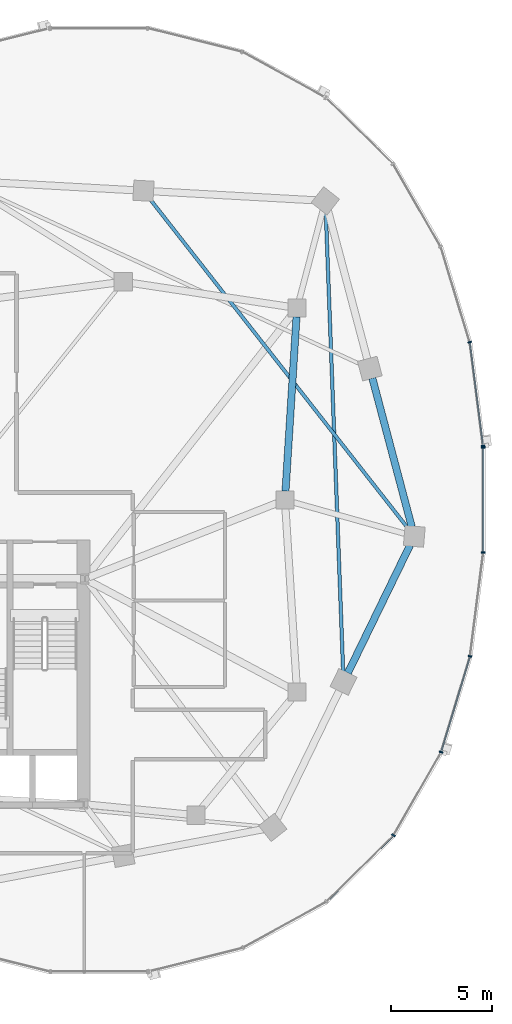
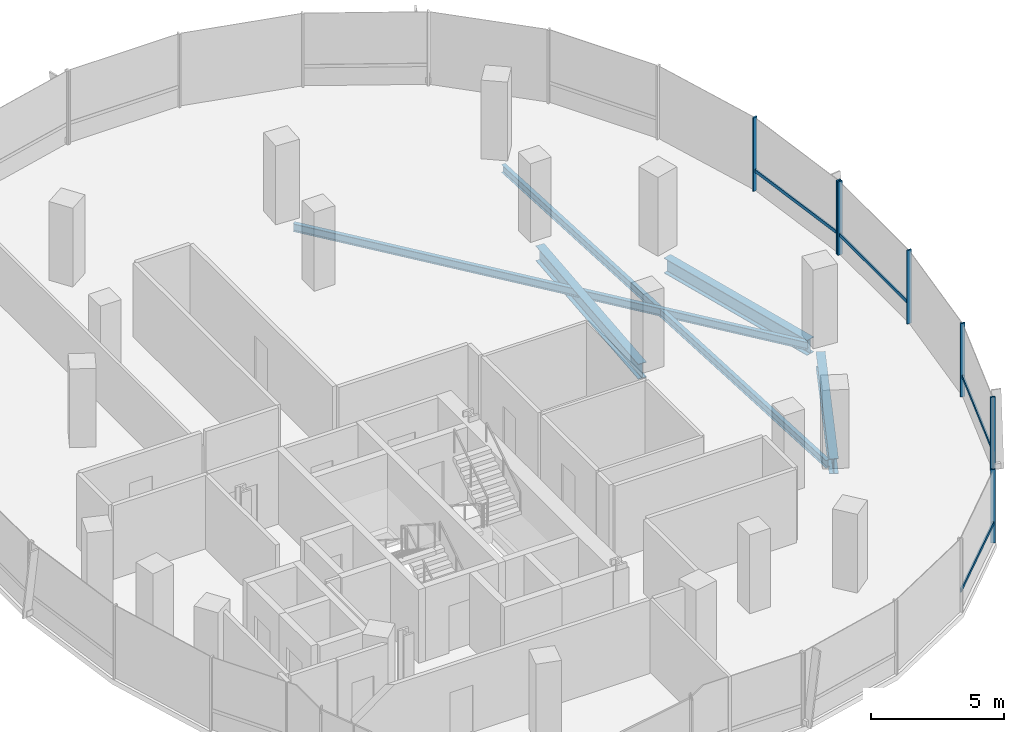
# One storey, part 8 of 21: 11 members, 5 beams, 2 elements without a shape of their own.
"""IFC4 building model written with IfcOpenShell, lengths in metres."""

import ifcopenshell
import ifcopenshell.guid

model = None  # the IFC model being written
_history = None  # IfcOwnerHistory: only IFC2X3 demands one
_inside = {}  # id of a spatial element -> (the spatial element, [elements in it])
_under = {}  # id of a project, library or spatial element -> (it, [spatial elements below it])
_declared = {}  # id of a project -> (the project, [libraries it declares])
_typed = {}  # id of a type object -> (the type object, [elements of that type])
_made_of = {}  # id of a material, layer set ... -> (it, [elements and type objects made of it])


def new_model(schema):
    """Start an empty IFC model of exactly this schema.

    Asked for "IFC4X3", IfcOpenShell would pick the latest addendum, in which some entities
    have other attributes; the version numbers below select the first issue.
    IFC2X3 requires an IfcOwnerHistory on every rooted entity: one is made here for all.
    """
    global model, _history
    if schema == "IFC4X3":
        model = ifcopenshell.file(schema_version=(4, 3, 0, 0))
    else:
        model = ifcopenshell.file(schema=schema)
    _inside.clear()
    _under.clear()
    _declared.clear()
    _typed.clear()
    _made_of.clear()
    _history = None
    if model.schema == "IFC2X3":
        org = make("IfcOrganization", Name="unknown")
        user = make(
            "IfcPersonAndOrganization",
            ThePerson=make("IfcPerson", FamilyName="unknown"),
            TheOrganization=org,
        )
        app = make(
            "IfcApplication",
            ApplicationDeveloper=org,
            Version="unknown",
            ApplicationFullName="unknown",
            ApplicationIdentifier="unknown",
        )
        _history = make(
            "IfcOwnerHistory",
            OwningUser=user,
            OwningApplication=app,
            ChangeAction="ADDED",
            CreationDate=0,
        )
    return model


def make(cls, **values):
    """One entity of the class cls with the attributes given. An attribute that is None is left unset."""
    return model.create_entity(
        cls, **{name: value for name, value in values.items() if value is not None}
    )


def rooted(cls, **values):
    """An entity with a GlobalId (a new one), such as an element, a storey or a relation."""
    return make(cls, GlobalId=ifcopenshell.guid.new(), OwnerHistory=_history, **values)


def si_unit(unit_type, name, prefix=None):
    """IfcSIUnit, for example si_unit("LENGTHUNIT", "METRE", prefix="MILLI")."""
    return make("IfcSIUnit", UnitType=unit_type, Prefix=prefix, Name=name)


def assignment(units):
    """IfcUnitAssignment: the units of a project."""
    return None if units is None else make("IfcUnitAssignment", Units=units)


def point(xyz):
    """IfcCartesianPoint."""
    return None if xyz is None else make("IfcCartesianPoint", Coordinates=xyz)


def direction(xyz):
    """IfcDirection."""
    return None if xyz is None else make("IfcDirection", DirectionRatios=xyz)


def frame(location, z_axis=None, x_axis=None):
    """IfcAxis2Placement3D, a coordinate frame: its origin and axes. An axis left out is left unset."""
    return make(
        "IfcAxis2Placement3D",
        Location=point(location),
        Axis=direction(z_axis),
        RefDirection=direction(x_axis),
    )


def frame_2d(location, x_axis=None):
    """IfcAxis2Placement2D, a coordinate frame in the plane: its origin and x axis."""
    return make(
        "IfcAxis2Placement2D", Location=point(location), RefDirection=direction(x_axis)
    )


def origin():
    """The frame at (0, 0, 0) with its axes left unset."""
    return frame((0.0, 0.0, 0.0))


def origin_2d():
    """The frame at (0, 0) in the plane with its x axis left unset."""
    return frame_2d((0.0, 0.0))


def place(relative_to, where):
    """IfcLocalPlacement: puts the frame where relative to a parent placement (None: the world)."""
    return make(
        "IfcLocalPlacement", PlacementRelTo=relative_to, RelativePlacement=where
    )


def context(
    kind, dimensions, precision=None, world=None, true_north=None, identifier=None
):
    """IfcGeometricRepresentationContext, for example the 3D "Model" context."""
    return make(
        "IfcGeometricRepresentationContext",
        ContextIdentifier=identifier,
        ContextType=kind,
        CoordinateSpaceDimension=dimensions,
        Precision=precision,
        WorldCoordinateSystem=world,
        TrueNorth=true_north,
    )


def subcontext(parent, identifier, kind, view, scale=None):
    """IfcGeometricRepresentationSubContext, for example "Body" below "Model"."""
    return make(
        "IfcGeometricRepresentationSubContext",
        ContextIdentifier=identifier,
        ContextType=kind,
        ParentContext=parent,
        TargetScale=scale,
        TargetView=view,
    )


def project(units=None, contexts=None):
    """IfcProject with its units and contexts."""
    return rooted(
        "IfcProject",
        Name="project",
        RepresentationContexts=contexts,
        UnitsInContext=assignment(units),
    )


def spatial(cls, under=None, at=None, **own):
    """A site, building, storey or space (cls), placed at a placement, below another one or the project."""
    s = rooted(cls, ObjectPlacement=at, **own)
    if under is not None:
        _under.setdefault(under.id(), (under, []))[1].append(s)
    return s


def profile(cls, at=None, kind="AREA", **sizes):
    """A parametric profile (cls). Its sizes go by their IFC names, for example OverallWidth=200.0."""
    return make(cls, ProfileType=kind, Position=at, **sizes)


def rectangle(**sizes):
    """IfcRectangleProfileDef."""
    return profile("IfcRectangleProfileDef", **sizes)


def i_section(**sizes):
    """IfcIShapeProfileDef."""
    return profile("IfcIShapeProfileDef", **sizes)


def extrude(swept, where, along, depth):
    """IfcExtrudedAreaSolid: the profile swept, set in the frame where, extruded along a direction by depth."""
    return make(
        "IfcExtrudedAreaSolid",
        SweptArea=swept,
        Position=where,
        ExtrudedDirection=direction(along),
        Depth=depth,
    )


def shape(context_of_items, identifier, shape_type, items):
    """IfcShapeRepresentation: the items that make up one representation, for example the "Body"."""
    return make(
        "IfcShapeRepresentation",
        ContextOfItems=context_of_items,
        RepresentationIdentifier=identifier,
        RepresentationType=shape_type,
        Items=items,
    )


def material(Name=None, Category=None):
    """IfcMaterial."""
    return make("IfcMaterial", Name=Name, Category=Category)


def material_profile(
    of_material, cross_section, Name=None, Category=None, Priority=None
):
    """IfcMaterialProfile: a cross section and its material."""
    return make(
        "IfcMaterialProfile",
        Name=Name,
        Material=of_material,
        Profile=cross_section,
        Priority=Priority,
        Category=Category,
    )


def profile_set(profiles, Name=None, composite=None):
    """IfcMaterialProfileSet."""
    return make(
        "IfcMaterialProfileSet",
        Name=Name,
        MaterialProfiles=profiles,
        CompositeProfile=composite,
    )


def made_of(thing, what):
    """Note that an element or type object is made of a material, layer set ...; save() writes the relation."""
    if what is not None:
        _made_of.setdefault(what.id(), (what, []))[1].append(thing)
    return thing


def type_object(cls, material=None, **own):
    """A type object (cls), such as IfcWallType, which elements share."""
    return made_of(rooted(cls, **own), material)


def element(
    cls,
    number,
    at=None,
    inside=None,
    cuts=None,
    type_object=None,
    material=None,
    context=None,
    identifier="Body",
    shape_type=None,
    held_by="IfcProductDefinitionShape",
    body=None,
    shapes=None,
    **own,
):
    """One element of the class cls, such as IfcWall. Its Tag is "e" and its number.

    at: its placement. inside: the storey or other place that contains it. cuts: it is an
    opening in that element (IfcRelVoidsElement). A single representation is given by context,
    identifier, shape_type and body (its items); several are given by shapes. held_by: the class
    of the entity that holds the representations. save() writes the other relations.
    """
    e = rooted(cls, Tag="e%d" % number, ObjectPlacement=at, **own)
    if body is not None:
        shapes = [shape(context, identifier, shape_type, body)]
    if shapes is not None:
        e.Representation = make(held_by, Representations=shapes)
    if inside is not None:
        _inside.setdefault(inside.id(), (inside, []))[1].append(e)
    if cuts is not None:
        rooted(
            "IfcRelVoidsElement", RelatingBuildingElement=cuts, RelatedOpeningElement=e
        )
    if type_object is not None:
        _typed.setdefault(type_object.id(), (type_object, []))[1].append(e)
    return made_of(e, material)


def aggregate(whole, parts):
    """IfcRelAggregates: a whole, such as a stair, and the parts it consists of."""
    return rooted("IfcRelAggregates", RelatingObject=whole, RelatedObjects=parts)


def save(model, path):
    """Write the relations noted so far, then the file.

    IfcRelAggregates (storeys below a building ...), IfcRelContainedInSpatialStructure (elements
    in a storey), IfcRelDefinesByType, IfcRelAssociatesMaterial and IfcRelDeclares: one each for
    every whole, place, type object, material and project.
    """
    for whole, parts in _under.values():
        aggregate(whole, parts)
    for where, things in _inside.values():
        rooted(
            "IfcRelContainedInSpatialStructure",
            RelatedElements=things,
            RelatingStructure=where,
        )
    for kind, things in _typed.values():
        rooted("IfcRelDefinesByType", RelatedObjects=things, RelatingType=kind)
    for what, things in _made_of.values():
        rooted("IfcRelAssociatesMaterial", RelatedObjects=things, RelatingMaterial=what)
    for by, libraries in _declared.values():
        rooted("IfcRelDeclares", RelatingContext=by, RelatedDefinitions=libraries)
    model.write(path)


model = new_model("IFC4")

# Units and contexts
model_context = context("Model", 3, precision=1e-05, world=origin(), true_north=direction((0.0, 1.0)))
body_context = subcontext(model_context, "Body", "Model", "MODEL_VIEW")
ifc_project = project(units=[si_unit("LENGTHUNIT", "METRE"), si_unit("AREAUNIT", "SQUARE_METRE"), si_unit("VOLUMEUNIT", "CUBIC_METRE"), si_unit("PLANEANGLEUNIT", "RADIAN"), si_unit("MASSUNIT", "GRAM", prefix="KILO"), si_unit("THERMODYNAMICTEMPERATUREUNIT", "KELVIN"), si_unit("POWERUNIT", "WATT")], contexts=[model_context])

# Site, building, storey
site_placement = place(None, origin())
site = spatial("IfcSite", under=ifc_project, at=site_placement, CompositionType="ELEMENT")
building_placement = place(site_placement, origin())
building = spatial("IfcBuilding", under=site, at=building_placement, Name="Cundina Bronze Exchange", CompositionType="ELEMENT")
storey_placement = place(building_placement, frame((0.0, 0.0, 180.0)))
storey = spatial("IfcBuildingStorey", under=building, at=storey_placement, Name="L47", CompositionType="ELEMENT", Elevation=180.0)

# Beams
ifc_material_1 = material(Name="Steel ASTM A992 Grade 50", Category="steel")
ifc_material_profile_1 = material_profile(ifc_material_1, i_section(OverallWidth=0.172119140625, OverallDepth=0.35791015625, WebThickness=0.0078125, FlangeThickness=0.01318359375, FilletRadius=0.010009765625, at=origin_2d()), Name="W14X38", Category="steel")
ifc_profile_set_1 = profile_set([ifc_material_profile_1], Name="Steel ASTM A992 Grade 50")
beam_type_1 = type_object("IfcBeamType", Name="BM-JST-W14", PredefinedType="JOIST", material=ifc_profile_set_1)
beam_1_placement = place(storey_placement, frame((44.08154296875, -8.51220703125, -0.4189453125), z_axis=(-0.037784933381, 0.999285894431, 0.0), x_axis=(-0.999285894431, -0.037784933381, 0.0)))
element("IfcBeam", 1, at=beam_1_placement, inside=storey, type_object=beam_type_1, Name="L47 Leg E Lobe Floor Joist 07-10", PredefinedType="JOIST", context=body_context, shape_type="SweptSolid", body=[
    extrude(i_section(OverallWidth=0.172119140625, OverallDepth=0.35791015625, WebThickness=0.0078125, FlangeThickness=0.01318359375, FilletRadius=0.010009765625, at=origin_2d()), origin(), (0.0, 0.0, 1.0), 22.8408203125),
])
beam_2_placement = place(storey_placement, frame((47.299072265625, -1.416015625, -0.4189453125), z_axis=(-0.616801484103, 0.787118751656, 0.0), x_axis=(-0.787118751656, -0.616801484103, 0.0)))
element("IfcBeam", 2, at=beam_2_placement, inside=storey, type_object=beam_type_1, Name="L47 Leg E Lobe Floor Joist 08-11", PredefinedType="JOIST", context=body_context, shape_type="SweptSolid", body=[
    extrude(i_section(OverallWidth=0.172119140625, OverallDepth=0.35791015625, WebThickness=0.0078125, FlangeThickness=0.01318359375, FilletRadius=0.010009765625, at=origin_2d()), origin(), (0.0, 0.0, 1.0), 20.7490234375),
])
ifc_material_profile_2 = material_profile(ifc_material_1, i_section(OverallWidth=0.35498046875, OverallDepth=0.695068359375, WebThickness=0.015380859375, FlangeThickness=0.02490234375, FilletRadius=0.01806640625, at=origin_2d()), Name="W27X146", Category="steel")
ifc_profile_set_2 = profile_set([ifc_material_profile_2], Name="Steel ASTM A992 Grade 50")
beam_type_2 = type_object("IfcBeamType", Name="BM-RING-W27", PredefinedType="USERDEFINED", material=ifc_profile_set_2)
beam_3_placement = place(storey_placement, frame((41.2275390625, 0.43701171875, -0.58740234375), z_axis=(0.063046519736, 0.998010589297, 0.0), x_axis=(-0.998010589297, 0.063046519736, 0.0)))
element("IfcBeam", 3, at=beam_3_placement, inside=storey, type_object=beam_type_2, Name="L47 E Inner Structural Ring Girder 04", ObjectType="GIRDER", PredefinedType="USERDEFINED", context=body_context, shape_type="SweptSolid", body=[
    extrude(i_section(OverallWidth=0.35498046875, OverallDepth=0.695068359375, WebThickness=0.015380859375, FlangeThickness=0.02490234375, FilletRadius=0.01806640625, at=origin_2d()), origin(), (0.0, 0.0, 1.0), 8.64306640625),
])
beam_4_placement = place(storey_placement, frame((44.3134765625, -8.56103515625, -0.58740234375), z_axis=(0.437196998825, 0.89936576776, 0.0), x_axis=(-0.89936576776, 0.437196998825, 0.0)))
element("IfcBeam", 4, at=beam_4_placement, inside=storey, type_object=beam_type_2, Name="L47 E Perimeter Ring Girder 07", ObjectType="GIRDER", PredefinedType="USERDEFINED", context=body_context, shape_type="SweptSolid", body=[
    extrude(i_section(OverallWidth=0.35498046875, OverallDepth=0.695068359375, WebThickness=0.015380859375, FlangeThickness=0.02490234375, FilletRadius=0.01806640625, at=origin_2d()), origin(), (0.0, 0.0, 1.0), 7.029541015625),
])
beam_5_placement = place(storey_placement, frame((47.47509765625, -1.328369140625, -0.58740234375), z_axis=(-0.256240814108, 0.966612975904, 0.0), x_axis=(-0.966612975904, -0.256240814108, 0.0)))
element("IfcBeam", 5, at=beam_5_placement, inside=storey, type_object=beam_type_2, Name="L47 E Perimeter Ring Girder 08", ObjectType="GIRDER", PredefinedType="USERDEFINED", context=body_context, shape_type="SweptSolid", body=[
    extrude(i_section(OverallWidth=0.35498046875, OverallDepth=0.695068359375, WebThickness=0.015380859375, FlangeThickness=0.02490234375, FilletRadius=0.01806640625, at=origin_2d()), origin(), (0.0, 0.0, 1.0), 7.61083984375),
])

# Curtain wall, members
ifc_material_2 = material(Name="Anodised Bronze Aluminium 6063-T6", Category="aluminium")
curtain_wall_type = type_object("IfcCurtainWallType", Name="CWS-WST-PIN", PredefinedType="NOTDEFINED", material=ifc_material_2)
curtain_wall_1_placement = place(storey_placement, origin())
curtain_wall_1 = element("IfcCurtainWall", 6, at=curtain_wall_1_placement, inside=storey, type_object=curtain_wall_type, Name="L47 CW-04 Curtain Wall Run CWR-L47-E1", PredefinedType="NOTDEFINED")
ifc_material_profile_3 = material_profile(ifc_material_2, rectangle(XDim=0.070068359375, YDim=0.18994140625, at=origin_2d()), Name="AL70X190", Category="aluminium")
ifc_profile_set_3 = profile_set([ifc_material_profile_3], Name="Anodised Bronze Aluminium 6063-T6")
member_type_1 = type_object("IfcMemberType", Name="CWM-MUL-190", PredefinedType="MULLION", material=ifc_profile_set_3)
member_1_placement = place(storey_placement, frame((51.001708984375, 2.676025390625, 0.0), z_axis=(0.0, 0.0, 1.0), x_axis=(-0.126545236492, 0.991960837494, 0.0)))
member_1 = element("IfcMember", 7, at=member_1_placement, type_object=member_type_1, Name="CW-04 Mullion 1", PredefinedType="MULLION", context=body_context, shape_type="SweptSolid", body=[
    extrude(rectangle(XDim=0.070068359375, YDim=0.18994140625, at=origin_2d()), origin(), (0.0, 0.0, 1.0), 3.360107421875),
])
member_2_placement = place(storey_placement, frame((50.3408203125, 7.80859375, 0.0), z_axis=(0.0, 0.0, 1.0), x_axis=(-0.290034140915, 0.957016299288, 0.0)))
member_2 = element("IfcMember", 8, at=member_2_placement, type_object=member_type_1, Name="CW-04 Mullion 2", PredefinedType="MULLION", context=body_context, shape_type="SweptSolid", body=[
    extrude(rectangle(XDim=0.070068359375, YDim=0.18994140625, at=origin_2d()), origin(), (0.0, 0.0, 1.0), 3.360107421875),
])

curtain_wall_2_placement = place(storey_placement, origin())
curtain_wall_2 = element("IfcCurtainWall", 9, at=curtain_wall_2_placement, inside=storey, type_object=curtain_wall_type, Name="L47 CW-04 Curtain Wall Run CWR-L47-E4", PredefinedType="NOTDEFINED")
member_3_placement = place(storey_placement, frame((46.57080078125, -16.588134765625, 0.0), z_axis=(0.0, 0.0, 1.0), x_axis=(0.498487739754, 0.866896748936, 0.0)))
member_3 = element("IfcMember", 10, at=member_3_placement, type_object=member_type_1, Name="CW-04 Mullion 4", PredefinedType="MULLION", context=body_context, shape_type="SweptSolid", body=[
    extrude(rectangle(XDim=0.070068359375, YDim=0.18994140625, at=origin_2d()), origin(), (0.0, 0.0, 1.0), 3.360107421875),
])
member_4_placement = place(storey_placement, frame((48.92626953125, -12.4755859375, 0.0), z_axis=(0.0, 0.0, 1.0), x_axis=(0.290034140915, 0.957016299288, 0.0)))
member_4 = element("IfcMember", 11, at=member_4_placement, type_object=member_type_1, Name="CW-04 Mullion 5", PredefinedType="MULLION", context=body_context, shape_type="SweptSolid", body=[
    extrude(rectangle(XDim=0.070068359375, YDim=0.18994140625, at=origin_2d()), origin(), (0.0, 0.0, 1.0), 3.360107421875),
])
member_5_placement = place(storey_placement, frame((50.357177734375, -7.731689453125, 0.0), z_axis=(0.0, 0.0, 1.0), x_axis=(0.126545236492, 0.991960837494, 0.0)))
member_5 = element("IfcMember", 12, at=member_5_placement, type_object=member_type_1, Name="CW-04 Mullion 6", PredefinedType="MULLION", context=body_context, shape_type="SweptSolid", body=[
    extrude(rectangle(XDim=0.070068359375, YDim=0.18994140625, at=origin_2d()), origin(), (0.0, 0.0, 1.0), 3.360107421875),
])
member_6_placement = place(storey_placement, frame((51.007080078125, -2.593017578125, 0.0), z_axis=(0.0, 0.0, 1.0), x_axis=(0.0, 1.0, 0.0)))
member_6 = element("IfcMember", 13, at=member_6_placement, type_object=member_type_1, Name="CW-04 Mullion 7", PredefinedType="MULLION", context=body_context, shape_type="SweptSolid", body=[
    extrude(rectangle(XDim=0.070068359375, YDim=0.18994140625, at=origin_2d()), origin(), (0.0, 0.0, 1.0), 3.360107421875),
])
member_7_placement = place(storey_placement, frame((51.007080078125, 2.593017578125, 0.0), z_axis=(0.0, 0.0, 1.0), x_axis=(0.0, 1.0, 0.0)))
member_7 = element("IfcMember", 14, at=member_7_placement, type_object=member_type_1, Name="CW-04 End Mullion", PredefinedType="MULLION", context=body_context, shape_type="SweptSolid", body=[
    extrude(rectangle(XDim=0.070068359375, YDim=0.18994140625, at=origin_2d()), origin(), (0.0, 0.0, 1.0), 3.360107421875),
])

# Member
ifc_material_profile_4 = material_profile(ifc_material_2, rectangle(XDim=0.06494140625, YDim=0.14990234375, at=origin_2d()), Name="AL65X150", Category="aluminium")
ifc_profile_set_4 = profile_set([ifc_material_profile_4], Name="Anodised Bronze Aluminium 6063-T6")
member_type_2 = type_object("IfcMemberType", Name="CWM-TRN-150", PredefinedType="USERDEFINED", material=ifc_profile_set_4)
member_8_placement = place(storey_placement, frame((50.996826171875, 2.71435546875, 0.919921875), z_axis=(-0.12646340362, 0.991971273548, 0.0), x_axis=(-0.991971273548, -0.12646340362, 0.0)))
member_8 = element("IfcMember", 15, at=member_8_placement, type_object=member_type_2, Name="CW-04 Spandrel Transom 1", ObjectType="TRANSOM", PredefinedType="USERDEFINED", context=body_context, shape_type="SweptSolid", body=[
    extrude(rectangle(XDim=0.06494140625, YDim=0.14990234375, at=origin_2d()), origin(), (0.0, 0.0, 1.0), 5.0966796875),
])

aggregate(curtain_wall_1, [member_1, member_8, member_2])

member_9_placement = place(storey_placement, frame((43.28662109375, -19.839599609375, 0.919921875), z_axis=(0.712005023839, 0.702174370102, 0.0), x_axis=(-0.702174370102, 0.712005023839, 0.0)))
member_9 = element("IfcMember", 16, at=member_9_placement, type_object=member_type_2, Name="CW-04 Spandrel Transom 3", ObjectType="TRANSOM", PredefinedType="USERDEFINED", context=body_context, shape_type="SweptSolid", body=[
    extrude(rectangle(XDim=0.06494140625, YDim=0.14990234375, at=origin_2d()), origin(), (0.0, 0.0, 1.0), 4.594482421875),
])

member_10_placement = place(storey_placement, frame((48.937255859375, -12.43896484375, 0.919921875), z_axis=(0.290051855969, 0.957010930371, 0.0), x_axis=(-0.957010930371, 0.290051855969, 0.0)))
member_10 = element("IfcMember", 17, at=member_10_placement, type_object=member_type_2, Name="CW-04 Spandrel Transom 5", ObjectType="TRANSOM", PredefinedType="USERDEFINED", context=body_context, shape_type="SweptSolid", body=[
    extrude(rectangle(XDim=0.06494140625, YDim=0.14990234375, at=origin_2d()), origin(), (0.0, 0.0, 1.0), 4.876953125),
])

member_11_placement = place(storey_placement, frame((51.007080078125, -2.554443359375, 0.919921875), z_axis=(0.0, 1.0, 0.0), x_axis=(-1.0, 0.0, 0.0)))
member_11 = element("IfcMember", 18, at=member_11_placement, type_object=member_type_2, Name="CW-04 Spandrel Transom 7", ObjectType="TRANSOM", PredefinedType="USERDEFINED", context=body_context, shape_type="SweptSolid", body=[
    extrude(rectangle(XDim=0.06494140625, YDim=0.14990234375, at=origin_2d()), origin(), (0.0, 0.0, 1.0), 5.10888671875),
])

aggregate(curtain_wall_2, [member_9, member_3, member_4, member_10, member_5, member_6, member_7, member_11])

save(model, "model.ifc")
